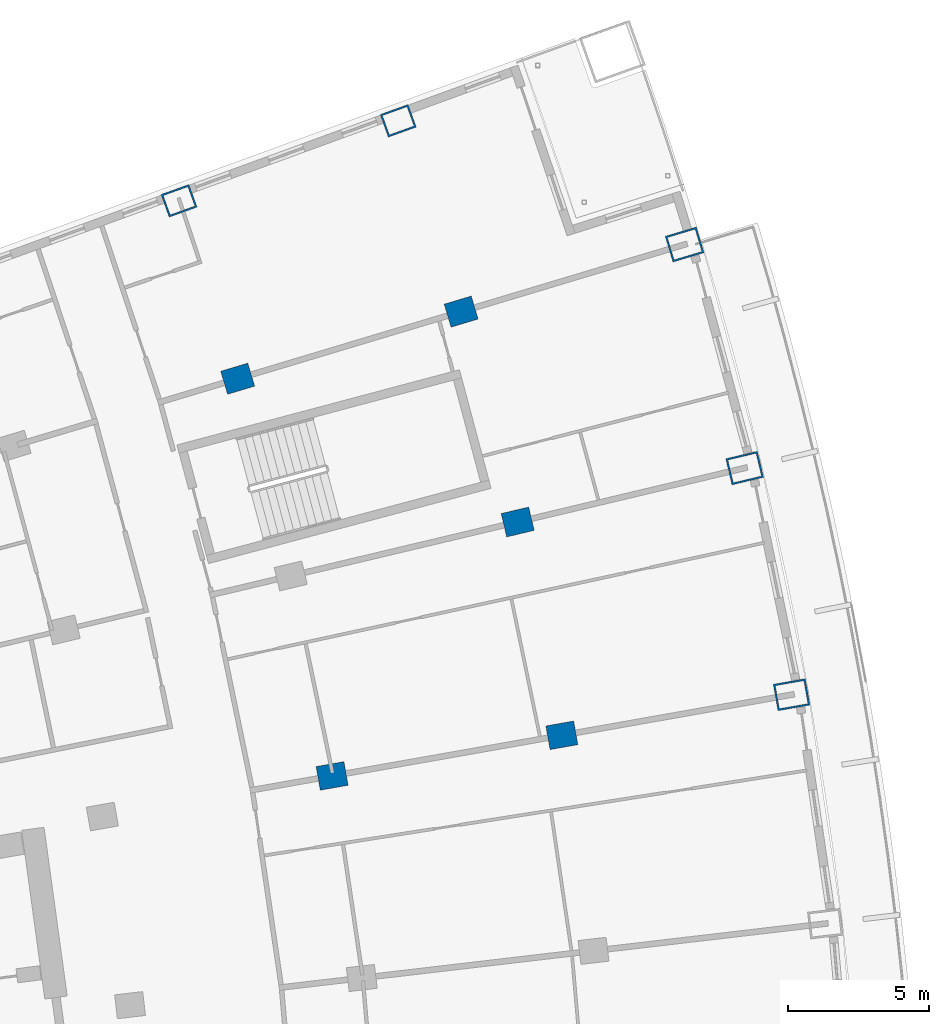
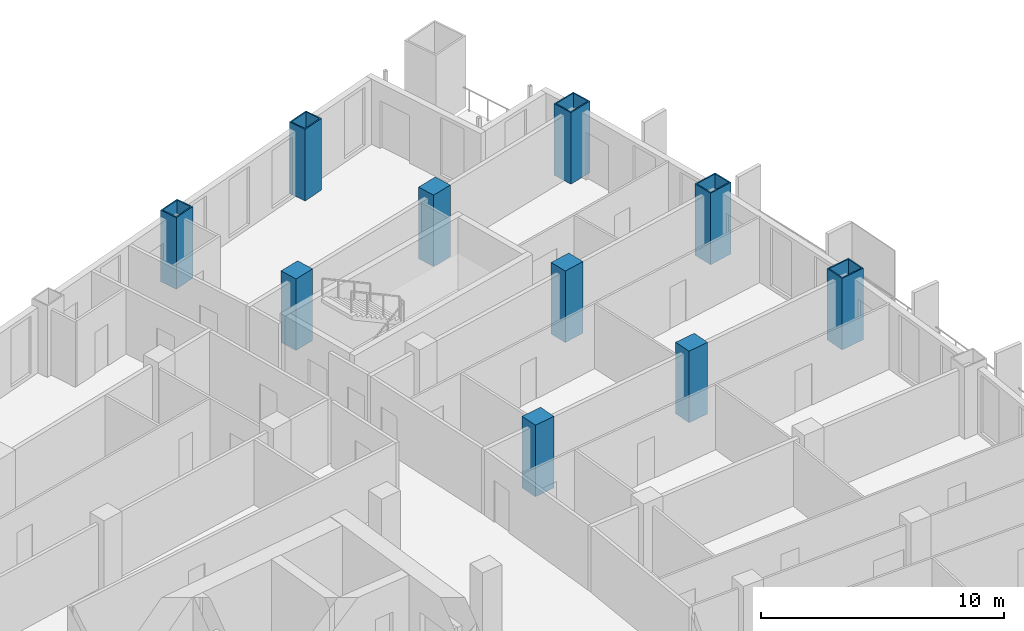
# One storey, part 10 of 25: 10 columns.
"""IFC4 building model written with IfcOpenShell, lengths in metres."""

import ifcopenshell
import ifcopenshell.guid

model = None  # the IFC model being written
_history = None  # IfcOwnerHistory: only IFC2X3 demands one
_inside = {}  # id of a spatial element -> (the spatial element, [elements in it])
_under = {}  # id of a project, library or spatial element -> (it, [spatial elements below it])
_declared = {}  # id of a project -> (the project, [libraries it declares])
_typed = {}  # id of a type object -> (the type object, [elements of that type])
_made_of = {}  # id of a material, layer set ... -> (it, [elements and type objects made of it])


def new_model(schema):
    """Start an empty IFC model of exactly this schema.

    Asked for "IFC4X3", IfcOpenShell would pick the latest addendum, in which some entities
    have other attributes; the version numbers below select the first issue.
    IFC2X3 requires an IfcOwnerHistory on every rooted entity: one is made here for all.
    """
    global model, _history
    if schema == "IFC4X3":
        model = ifcopenshell.file(schema_version=(4, 3, 0, 0))
    else:
        model = ifcopenshell.file(schema=schema)
    _inside.clear()
    _under.clear()
    _declared.clear()
    _typed.clear()
    _made_of.clear()
    _history = None
    if model.schema == "IFC2X3":
        org = make("IfcOrganization", Name="unknown")
        user = make(
            "IfcPersonAndOrganization",
            ThePerson=make("IfcPerson", FamilyName="unknown"),
            TheOrganization=org,
        )
        app = make(
            "IfcApplication",
            ApplicationDeveloper=org,
            Version="unknown",
            ApplicationFullName="unknown",
            ApplicationIdentifier="unknown",
        )
        _history = make(
            "IfcOwnerHistory",
            OwningUser=user,
            OwningApplication=app,
            ChangeAction="ADDED",
            CreationDate=0,
        )
    return model


def make(cls, **values):
    """One entity of the class cls with the attributes given. An attribute that is None is left unset."""
    return model.create_entity(
        cls, **{name: value for name, value in values.items() if value is not None}
    )


def rooted(cls, **values):
    """An entity with a GlobalId (a new one), such as an element, a storey or a relation."""
    return make(cls, GlobalId=ifcopenshell.guid.new(), OwnerHistory=_history, **values)


def si_unit(unit_type, name, prefix=None):
    """IfcSIUnit, for example si_unit("LENGTHUNIT", "METRE", prefix="MILLI")."""
    return make("IfcSIUnit", UnitType=unit_type, Prefix=prefix, Name=name)


def assignment(units):
    """IfcUnitAssignment: the units of a project."""
    return None if units is None else make("IfcUnitAssignment", Units=units)


def point(xyz):
    """IfcCartesianPoint."""
    return None if xyz is None else make("IfcCartesianPoint", Coordinates=xyz)


def direction(xyz):
    """IfcDirection."""
    return None if xyz is None else make("IfcDirection", DirectionRatios=xyz)


def frame(location, z_axis=None, x_axis=None):
    """IfcAxis2Placement3D, a coordinate frame: its origin and axes. An axis left out is left unset."""
    return make(
        "IfcAxis2Placement3D",
        Location=point(location),
        Axis=direction(z_axis),
        RefDirection=direction(x_axis),
    )


def frame_2d(location, x_axis=None):
    """IfcAxis2Placement2D, a coordinate frame in the plane: its origin and x axis."""
    return make(
        "IfcAxis2Placement2D", Location=point(location), RefDirection=direction(x_axis)
    )


def origin():
    """The frame at (0, 0, 0) with its axes left unset."""
    return frame((0.0, 0.0, 0.0))


def origin_2d():
    """The frame at (0, 0) in the plane with its x axis left unset."""
    return frame_2d((0.0, 0.0))


def place(relative_to, where):
    """IfcLocalPlacement: puts the frame where relative to a parent placement (None: the world)."""
    return make(
        "IfcLocalPlacement", PlacementRelTo=relative_to, RelativePlacement=where
    )


def context(
    kind, dimensions, precision=None, world=None, true_north=None, identifier=None
):
    """IfcGeometricRepresentationContext, for example the 3D "Model" context."""
    return make(
        "IfcGeometricRepresentationContext",
        ContextIdentifier=identifier,
        ContextType=kind,
        CoordinateSpaceDimension=dimensions,
        Precision=precision,
        WorldCoordinateSystem=world,
        TrueNorth=true_north,
    )


def subcontext(parent, identifier, kind, view, scale=None):
    """IfcGeometricRepresentationSubContext, for example "Body" below "Model"."""
    return make(
        "IfcGeometricRepresentationSubContext",
        ContextIdentifier=identifier,
        ContextType=kind,
        ParentContext=parent,
        TargetScale=scale,
        TargetView=view,
    )


def project(units=None, contexts=None):
    """IfcProject with its units and contexts."""
    return rooted(
        "IfcProject",
        Name="project",
        RepresentationContexts=contexts,
        UnitsInContext=assignment(units),
    )


def spatial(cls, under=None, at=None, **own):
    """A site, building, storey or space (cls), placed at a placement, below another one or the project."""
    s = rooted(cls, ObjectPlacement=at, **own)
    if under is not None:
        _under.setdefault(under.id(), (under, []))[1].append(s)
    return s


def profile(cls, at=None, kind="AREA", **sizes):
    """A parametric profile (cls). Its sizes go by their IFC names, for example OverallWidth=200.0."""
    return make(cls, ProfileType=kind, Position=at, **sizes)


def rectangle(**sizes):
    """IfcRectangleProfileDef."""
    return profile("IfcRectangleProfileDef", **sizes)


def hollow_rectangle(**sizes):
    """IfcRectangleHollowProfileDef."""
    return profile("IfcRectangleHollowProfileDef", **sizes)


def extrude(swept, where, along, depth):
    """IfcExtrudedAreaSolid: the profile swept, set in the frame where, extruded along a direction by depth."""
    return make(
        "IfcExtrudedAreaSolid",
        SweptArea=swept,
        Position=where,
        ExtrudedDirection=direction(along),
        Depth=depth,
    )


def shape(context_of_items, identifier, shape_type, items):
    """IfcShapeRepresentation: the items that make up one representation, for example the "Body"."""
    return make(
        "IfcShapeRepresentation",
        ContextOfItems=context_of_items,
        RepresentationIdentifier=identifier,
        RepresentationType=shape_type,
        Items=items,
    )


def material(Name=None, Category=None):
    """IfcMaterial."""
    return make("IfcMaterial", Name=Name, Category=Category)


def material_profile(
    of_material, cross_section, Name=None, Category=None, Priority=None
):
    """IfcMaterialProfile: a cross section and its material."""
    return make(
        "IfcMaterialProfile",
        Name=Name,
        Material=of_material,
        Profile=cross_section,
        Priority=Priority,
        Category=Category,
    )


def profile_set(profiles, Name=None, composite=None):
    """IfcMaterialProfileSet."""
    return make(
        "IfcMaterialProfileSet",
        Name=Name,
        MaterialProfiles=profiles,
        CompositeProfile=composite,
    )


def made_of(thing, what):
    """Note that an element or type object is made of a material, layer set ...; save() writes the relation."""
    if what is not None:
        _made_of.setdefault(what.id(), (what, []))[1].append(thing)
    return thing


def type_object(cls, material=None, **own):
    """A type object (cls), such as IfcWallType, which elements share."""
    return made_of(rooted(cls, **own), material)


def element(
    cls,
    number,
    at=None,
    inside=None,
    cuts=None,
    type_object=None,
    material=None,
    context=None,
    identifier="Body",
    shape_type=None,
    held_by="IfcProductDefinitionShape",
    body=None,
    shapes=None,
    **own,
):
    """One element of the class cls, such as IfcWall. Its Tag is "e" and its number.

    at: its placement. inside: the storey or other place that contains it. cuts: it is an
    opening in that element (IfcRelVoidsElement). A single representation is given by context,
    identifier, shape_type and body (its items); several are given by shapes. held_by: the class
    of the entity that holds the representations. save() writes the other relations.
    """
    e = rooted(cls, Tag="e%d" % number, ObjectPlacement=at, **own)
    if body is not None:
        shapes = [shape(context, identifier, shape_type, body)]
    if shapes is not None:
        e.Representation = make(held_by, Representations=shapes)
    if inside is not None:
        _inside.setdefault(inside.id(), (inside, []))[1].append(e)
    if cuts is not None:
        rooted(
            "IfcRelVoidsElement", RelatingBuildingElement=cuts, RelatedOpeningElement=e
        )
    if type_object is not None:
        _typed.setdefault(type_object.id(), (type_object, []))[1].append(e)
    return made_of(e, material)


def aggregate(whole, parts):
    """IfcRelAggregates: a whole, such as a stair, and the parts it consists of."""
    return rooted("IfcRelAggregates", RelatingObject=whole, RelatedObjects=parts)


def save(model, path):
    """Write the relations noted so far, then the file.

    IfcRelAggregates (storeys below a building ...), IfcRelContainedInSpatialStructure (elements
    in a storey), IfcRelDefinesByType, IfcRelAssociatesMaterial and IfcRelDeclares: one each for
    every whole, place, type object, material and project.
    """
    for whole, parts in _under.values():
        aggregate(whole, parts)
    for where, things in _inside.values():
        rooted(
            "IfcRelContainedInSpatialStructure",
            RelatedElements=things,
            RelatingStructure=where,
        )
    for kind, things in _typed.values():
        rooted("IfcRelDefinesByType", RelatedObjects=things, RelatingType=kind)
    for what, things in _made_of.values():
        rooted("IfcRelAssociatesMaterial", RelatedObjects=things, RelatingMaterial=what)
    for by, libraries in _declared.values():
        rooted("IfcRelDeclares", RelatingContext=by, RelatedDefinitions=libraries)
    model.write(path)


model = new_model("IFC4")

# Units and contexts
model_context = context("Model", 3, precision=1e-05, world=origin(), true_north=direction((0.0, 1.0)))
body_context = subcontext(model_context, "Body", "Model", "MODEL_VIEW")
ifc_project = project(units=[si_unit("LENGTHUNIT", "METRE"), si_unit("AREAUNIT", "SQUARE_METRE"), si_unit("VOLUMEUNIT", "CUBIC_METRE"), si_unit("PLANEANGLEUNIT", "RADIAN"), si_unit("MASSUNIT", "GRAM", prefix="KILO")], contexts=[model_context])

# Site, building, storey
site_placement = place(None, origin())
site = spatial("IfcSite", under=ifc_project, at=site_placement, CompositionType="ELEMENT")
building_placement = place(site_placement, origin())
building = spatial("IfcBuilding", under=site, at=building_placement, Name="Alderwake Tower", CompositionType="ELEMENT")
storey_placement = place(building_placement, frame((0.0, 0.0, 118.39990234375)))
storey = spatial("IfcBuildingStorey", under=building, at=storey_placement, Name="L29", CompositionType="ELEMENT", Elevation=118.39990234375)

# Columns
ifc_material_1 = material(Name="Steel ASTM A572 Grade 50 concrete filled C70/85", Category="concrete")
ifc_material_profile_1 = material_profile(ifc_material_1, hollow_rectangle(XDim=0.85009765625, YDim=1.050048828125, WallThickness=0.06005859375, at=origin_2d()), Name="BOX 1050X850X60")
ifc_profile_set_1 = profile_set([ifc_material_profile_1], Name="Steel ASTM A572 Grade 50 concrete filled C70/85")
column_type_1 = type_object("IfcColumnType", Name="End column Z2", PredefinedType="COLUMN", material=ifc_profile_set_1)
for number, where, z_axis, x_axis, name in (
    (1, (36.749267578125, 102.97802734375, 0.0), (0.0, 0.0, 1.0), (-0.338351987283, 0.941019623973, 0.0), "Column R13-C3"),
    (2, (44.514892578125, 105.812744140625, 0.0), (0.0, 0.0, 1.0), (-0.338634462954, 0.940918009446, 0.0), "Column R13-C4"),
):
    element("IfcColumn", number, at=place(storey_placement, frame(where, z_axis=z_axis, x_axis=x_axis)), inside=storey, type_object=column_type_1, Name=name, PredefinedType="COLUMN", context=body_context, shape_type="SweptSolid", body=[
        extrude(hollow_rectangle(XDim=0.85009765625, YDim=1.050048828125, WallThickness=0.06005859375, at=origin_2d()), origin(), (0.0, 0.0, 1.0), 3.60009765625),
    ])
ifc_material_2 = material(Name="Concrete C70/85", Category="concrete")
ifc_material_profile_2 = material_profile(ifc_material_2, rectangle(XDim=0.85009765625, YDim=1.0, at=origin_2d()), Name="RC 1000X850")
ifc_profile_set_2 = profile_set([ifc_material_profile_2], Name="Concrete C70/85")
column_type_2 = type_object("IfcColumnType", Name="Interior column Z2", PredefinedType="COLUMN", material=ifc_profile_set_2)
for number, where, z_axis, x_axis, name in (
    (3, (42.171875, 82.60107421875, 0.0), (0.0, 0.0, 1.0), (-0.174107082075, 0.984726725529, 0.0), "Column R10-C3"),
    (4, (50.31201171875, 84.040283203125, 0.0), (0.0, 0.0, 1.0), (-0.174108800747, 0.984726421654, 0.0), "Column R10-C4"),
    (5, (48.747314453125, 91.598388671875, 0.0), (0.0, 0.0, 1.0), (-0.231221547198, 0.972901123502, 0.0), "Column R11-C4"),
    (6, (38.826904296875, 96.67529296875, 0.0), (0.0, 0.0, 1.0), (-0.287547746508, 0.957766304209, 0.0), "Column R12-C3"),
    (7, (46.744384765625, 99.05224609375, 0.0), (0.0, 0.0, 1.0), (-0.287549418125, 0.957765802342, 0.0), "Column R12-C4"),
):
    element("IfcColumn", number, at=place(storey_placement, frame(where, z_axis=z_axis, x_axis=x_axis)), inside=storey, type_object=column_type_2, Name=name, PredefinedType="COLUMN", context=body_context, shape_type="SweptSolid", body=[
        extrude(rectangle(XDim=0.85009765625, YDim=1.0, at=origin_2d()), origin(), (0.0, 0.0, 1.0), 3.60009765625),
    ])
ifc_material_3 = material(Name="Steel ASTM A572 Grade 50 concrete filled C70/85", Category="concrete")
ifc_material_profile_3 = material_profile(ifc_material_3, hollow_rectangle(XDim=0.949951171875, YDim=1.14990234375, WallThickness=0.06005859375, at=origin_2d()), Name="BOX 1150X950X60")
ifc_profile_set_3 = profile_set([ifc_material_profile_3], Name="Steel ASTM A572 Grade 50 concrete filled C70/85")
column_type_3 = type_object("IfcColumnType", Name="Perimeter column Z2", PredefinedType="COLUMN", material=ifc_profile_set_3)
for number, where, z_axis, x_axis, name in (
    (8, (58.45263671875, 85.4794921875, 0.0), (0.0, 0.0, 1.0), (-0.174108800747, 0.984726421654, 0.0), "Column R10-C5"),
    (9, (56.789794921875, 93.509765625, 0.0), (0.0, 0.0, 1.0), (-0.231221547198, 0.972901123502, 0.0), "Column R11-C5"),
    (10, (54.661865234375, 101.429443359375, 0.0), (0.0, 0.0, 1.0), (-0.287549418125, 0.957765802342, 0.0), "Column R12-C5"),
):
    element("IfcColumn", number, at=place(storey_placement, frame(where, z_axis=z_axis, x_axis=x_axis)), inside=storey, type_object=column_type_3, Name=name, PredefinedType="COLUMN", context=body_context, shape_type="SweptSolid", body=[
        extrude(hollow_rectangle(XDim=0.949951171875, YDim=1.14990234375, WallThickness=0.06005859375, at=origin_2d()), origin(), (0.0, 0.0, 1.0), 3.60009765625),
    ])

save(model, "model.ifc")
